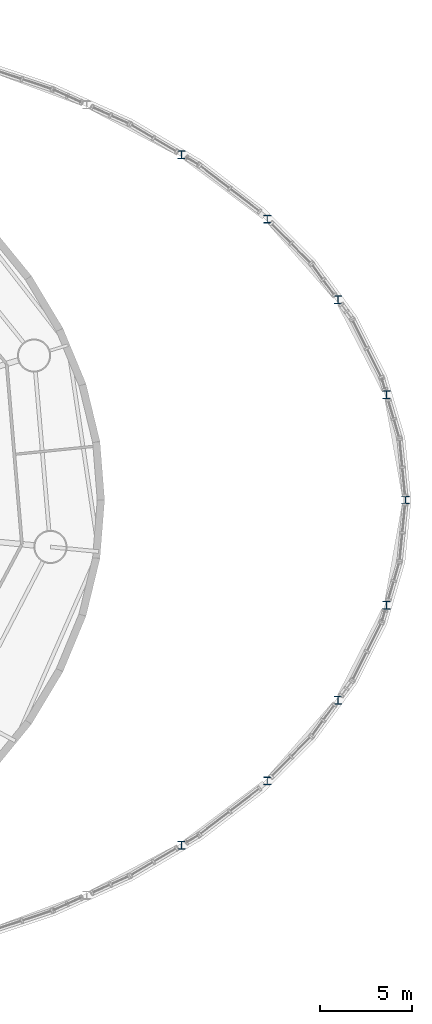
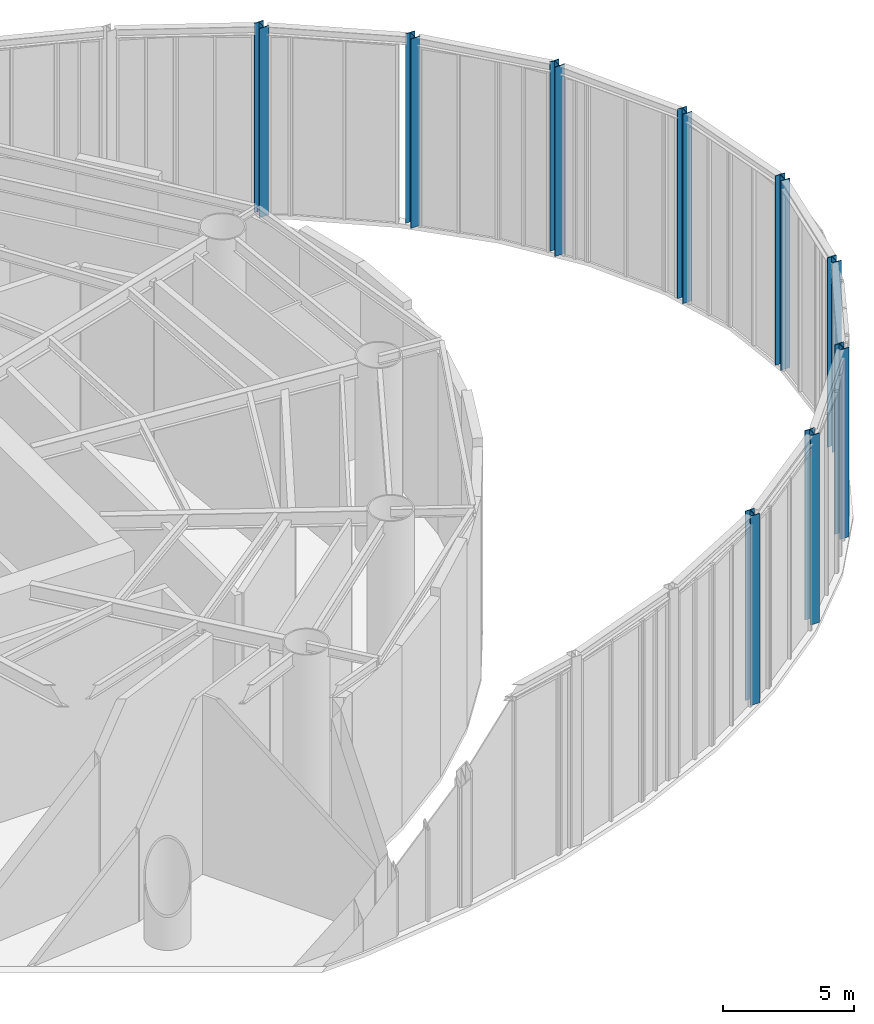
# One storey, part 3 of 19: 9 columns.
"""IFC4 building model written with IfcOpenShell, lengths in metres."""

from ifc_helpers import new_model, si_unit, direction, frame, origin, origin_2d, place, context, subcontext, project, spatial, i_section, extrude, material, material_profile, profile_set, type_object, element, save


model = new_model("IFC4")

# Units and contexts
model_context = context("Model", 3, precision=1e-05, world=origin(), true_north=direction((0.0, 1.0)))
body_context = subcontext(model_context, "Body", "Model", "MODEL_VIEW")
ifc_project = project(units=[si_unit("LENGTHUNIT", "METRE"), si_unit("AREAUNIT", "SQUARE_METRE"), si_unit("VOLUMEUNIT", "CUBIC_METRE"), si_unit("PLANEANGLEUNIT", "RADIAN"), si_unit("MASSUNIT", "GRAM", prefix="KILO")], contexts=[model_context])

# Site, building, storey
site_placement = place(None, origin())
site = spatial("IfcSite", under=ifc_project, at=site_placement, CompositionType="ELEMENT")
building_placement = place(site_placement, origin())
building = spatial("IfcBuilding", under=site, at=building_placement, Name="Vermilion Reach Broadcast Tower", CompositionType="ELEMENT")
storey_placement = place(building_placement, frame((0.0, 0.0, 17.0)))
storey = spatial("IfcBuildingStorey", under=building, at=storey_placement, Name="L02", CompositionType="ELEMENT", Elevation=17.0)

# Columns
ifc_material = material(Name="Steel S460NL", Category="steel")
ifc_material_profile = material_profile(ifc_material, i_section(OverallWidth=0.406982421875, OverallDepth=0.427978515625, WebThickness=0.02001953125, FlangeThickness=0.034912109375, at=origin_2d()), Name="S460NL HW 428x407x20x35")
ifc_profile_set = profile_set([ifc_material_profile], Name="Steel S460NL")
column_type = type_object("IfcColumnType", Name="AP HW 428x407x20x35", PredefinedType="COLUMN", material=ifc_profile_set)
for number, where, z_axis, x_axis, name in (
    (1, (27.570556640625, -18.70068359375, 0.0), (0.0, 0.0, 1.0), (1.0, 0.0, 0.0), "Atrium post AP04"),
    (2, (32.211669921875, -15.213134765625, 0.0), (0.0, 0.0, 1.0), (1.0, 0.0, 0.0), "Atrium post AP05"),
    (3, (36.033935546875, -10.847412109375, 0.0), (0.0, 0.0, 1.0), (1.0, 0.0, 0.0), "Atrium post AP06"),
    (4, (38.6767578125, -5.701416015625, 0.0), (0.0, 0.0, 1.0), (1.0, 0.0, 0.0), "Atrium post AP07"),
    (5, (39.699951171875, 0.0, 0.0), (0.0, 0.0, 1.0), (1.0, 0.0, 0.0), "Atrium post AP08"),
    (6, (38.6767578125, 5.701416015625, 0.0), (0.0, 0.0, 1.0), (1.0, 0.0, 0.0), "Atrium post AP09"),
    (7, (36.033935546875, 10.847412109375, 0.0), (0.0, 0.0, 1.0), (1.0, 0.0, 0.0), "Atrium post AP10"),
    (8, (32.211669921875, 15.213134765625, 0.0), (0.0, 0.0, 1.0), (1.0, 0.0, 0.0), "Atrium post AP11"),
    (9, (27.570556640625, 18.70068359375, 0.0), (0.0, 0.0, 1.0), (1.0, 0.0, 0.0), "Atrium post AP12"),
):
    element("IfcColumn", number, at=place(storey_placement, frame(where, z_axis=z_axis, x_axis=x_axis)), inside=storey, type_object=column_type, Name=name, PredefinedType="COLUMN", context=body_context, shape_type="SweptSolid", body=[
        extrude(i_section(OverallWidth=0.406982421875, OverallDepth=0.427978515625, WebThickness=0.02001953125, FlangeThickness=0.034912109375, at=origin_2d()), origin(), (0.0, 0.0, 1.0), 8.800048828125),
    ])

save(model, "model.ifc")
